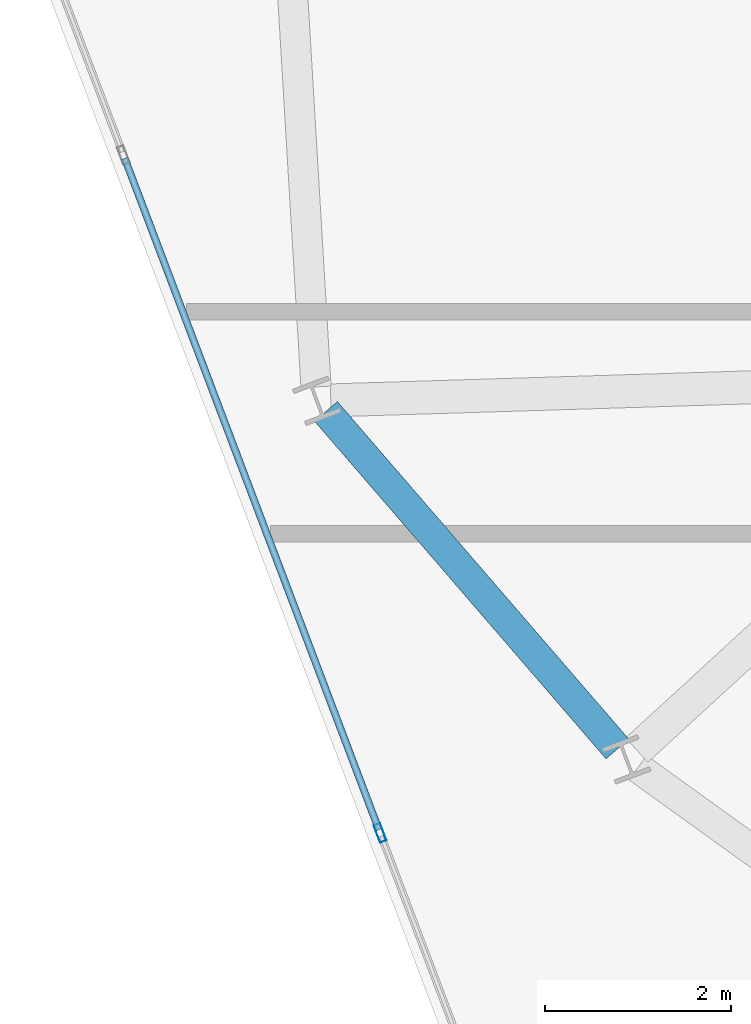
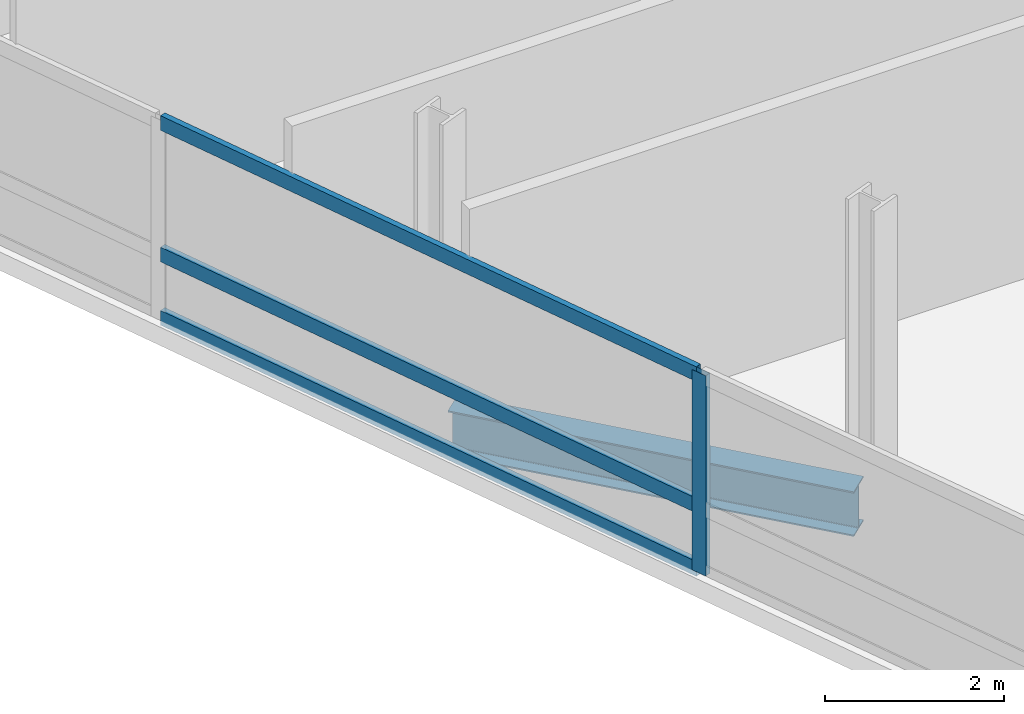
# One storey, part 7 of 24: 4 members, 1 beam, 1 element without a shape of its own.
"""IFC4 building model written with IfcOpenShell, lengths in metres."""

import ifcopenshell
import ifcopenshell.guid

model = None  # the IFC model being written
_history = None  # IfcOwnerHistory: only IFC2X3 demands one
_inside = {}  # id of a spatial element -> (the spatial element, [elements in it])
_under = {}  # id of a project, library or spatial element -> (it, [spatial elements below it])
_declared = {}  # id of a project -> (the project, [libraries it declares])
_typed = {}  # id of a type object -> (the type object, [elements of that type])
_made_of = {}  # id of a material, layer set ... -> (it, [elements and type objects made of it])


def new_model(schema):
    """Start an empty IFC model of exactly this schema.

    Asked for "IFC4X3", IfcOpenShell would pick the latest addendum, in which some entities
    have other attributes; the version numbers below select the first issue.
    IFC2X3 requires an IfcOwnerHistory on every rooted entity: one is made here for all.
    """
    global model, _history
    if schema == "IFC4X3":
        model = ifcopenshell.file(schema_version=(4, 3, 0, 0))
    else:
        model = ifcopenshell.file(schema=schema)
    _inside.clear()
    _under.clear()
    _declared.clear()
    _typed.clear()
    _made_of.clear()
    _history = None
    if model.schema == "IFC2X3":
        org = make("IfcOrganization", Name="unknown")
        user = make(
            "IfcPersonAndOrganization",
            ThePerson=make("IfcPerson", FamilyName="unknown"),
            TheOrganization=org,
        )
        app = make(
            "IfcApplication",
            ApplicationDeveloper=org,
            Version="unknown",
            ApplicationFullName="unknown",
            ApplicationIdentifier="unknown",
        )
        _history = make(
            "IfcOwnerHistory",
            OwningUser=user,
            OwningApplication=app,
            ChangeAction="ADDED",
            CreationDate=0,
        )
    return model


def make(cls, **values):
    """One entity of the class cls with the attributes given. An attribute that is None is left unset."""
    return model.create_entity(
        cls, **{name: value for name, value in values.items() if value is not None}
    )


def rooted(cls, **values):
    """An entity with a GlobalId (a new one), such as an element, a storey or a relation."""
    return make(cls, GlobalId=ifcopenshell.guid.new(), OwnerHistory=_history, **values)


def si_unit(unit_type, name, prefix=None):
    """IfcSIUnit, for example si_unit("LENGTHUNIT", "METRE", prefix="MILLI")."""
    return make("IfcSIUnit", UnitType=unit_type, Prefix=prefix, Name=name)


def assignment(units):
    """IfcUnitAssignment: the units of a project."""
    return None if units is None else make("IfcUnitAssignment", Units=units)


def point(xyz):
    """IfcCartesianPoint."""
    return None if xyz is None else make("IfcCartesianPoint", Coordinates=xyz)


def direction(xyz):
    """IfcDirection."""
    return None if xyz is None else make("IfcDirection", DirectionRatios=xyz)


def frame(location, z_axis=None, x_axis=None):
    """IfcAxis2Placement3D, a coordinate frame: its origin and axes. An axis left out is left unset."""
    return make(
        "IfcAxis2Placement3D",
        Location=point(location),
        Axis=direction(z_axis),
        RefDirection=direction(x_axis),
    )


def frame_2d(location, x_axis=None):
    """IfcAxis2Placement2D, a coordinate frame in the plane: its origin and x axis."""
    return make(
        "IfcAxis2Placement2D", Location=point(location), RefDirection=direction(x_axis)
    )


def origin():
    """The frame at (0, 0, 0) with its axes left unset."""
    return frame((0.0, 0.0, 0.0))


def origin_2d():
    """The frame at (0, 0) in the plane with its x axis left unset."""
    return frame_2d((0.0, 0.0))


def place(relative_to, where):
    """IfcLocalPlacement: puts the frame where relative to a parent placement (None: the world)."""
    return make(
        "IfcLocalPlacement", PlacementRelTo=relative_to, RelativePlacement=where
    )


def context(
    kind, dimensions, precision=None, world=None, true_north=None, identifier=None
):
    """IfcGeometricRepresentationContext, for example the 3D "Model" context."""
    return make(
        "IfcGeometricRepresentationContext",
        ContextIdentifier=identifier,
        ContextType=kind,
        CoordinateSpaceDimension=dimensions,
        Precision=precision,
        WorldCoordinateSystem=world,
        TrueNorth=true_north,
    )


def subcontext(parent, identifier, kind, view, scale=None):
    """IfcGeometricRepresentationSubContext, for example "Body" below "Model"."""
    return make(
        "IfcGeometricRepresentationSubContext",
        ContextIdentifier=identifier,
        ContextType=kind,
        ParentContext=parent,
        TargetScale=scale,
        TargetView=view,
    )


def project(units=None, contexts=None):
    """IfcProject with its units and contexts."""
    return rooted(
        "IfcProject",
        Name="project",
        RepresentationContexts=contexts,
        UnitsInContext=assignment(units),
    )


def spatial(cls, under=None, at=None, **own):
    """A site, building, storey or space (cls), placed at a placement, below another one or the project."""
    s = rooted(cls, ObjectPlacement=at, **own)
    if under is not None:
        _under.setdefault(under.id(), (under, []))[1].append(s)
    return s


def profile(cls, at=None, kind="AREA", **sizes):
    """A parametric profile (cls). Its sizes go by their IFC names, for example OverallWidth=200.0."""
    return make(cls, ProfileType=kind, Position=at, **sizes)


def hollow_rectangle(**sizes):
    """IfcRectangleHollowProfileDef."""
    return profile("IfcRectangleHollowProfileDef", **sizes)


def i_section(**sizes):
    """IfcIShapeProfileDef."""
    return profile("IfcIShapeProfileDef", **sizes)


def extrude(swept, where, along, depth):
    """IfcExtrudedAreaSolid: the profile swept, set in the frame where, extruded along a direction by depth."""
    return make(
        "IfcExtrudedAreaSolid",
        SweptArea=swept,
        Position=where,
        ExtrudedDirection=direction(along),
        Depth=depth,
    )


def shape(context_of_items, identifier, shape_type, items):
    """IfcShapeRepresentation: the items that make up one representation, for example the "Body"."""
    return make(
        "IfcShapeRepresentation",
        ContextOfItems=context_of_items,
        RepresentationIdentifier=identifier,
        RepresentationType=shape_type,
        Items=items,
    )


def material(Name=None, Category=None):
    """IfcMaterial."""
    return make("IfcMaterial", Name=Name, Category=Category)


def layer(
    of_material, thickness, ventilated=None, Name=None, Category=None, Priority=None
):
    """IfcMaterialLayer: one layer of a wall or slab, of a material (None: an air gap)."""
    return make(
        "IfcMaterialLayer",
        Material=of_material,
        LayerThickness=thickness,
        IsVentilated=ventilated,
        Name=Name,
        Category=Category,
        Priority=Priority,
    )


def layer_set(layers, Name=None):
    """IfcMaterialLayerSet."""
    return make("IfcMaterialLayerSet", MaterialLayers=layers, LayerSetName=Name)


def material_profile(
    of_material, cross_section, Name=None, Category=None, Priority=None
):
    """IfcMaterialProfile: a cross section and its material."""
    return make(
        "IfcMaterialProfile",
        Name=Name,
        Material=of_material,
        Profile=cross_section,
        Priority=Priority,
        Category=Category,
    )


def profile_set(profiles, Name=None, composite=None):
    """IfcMaterialProfileSet."""
    return make(
        "IfcMaterialProfileSet",
        Name=Name,
        MaterialProfiles=profiles,
        CompositeProfile=composite,
    )


def made_of(thing, what):
    """Note that an element or type object is made of a material, layer set ...; save() writes the relation."""
    if what is not None:
        _made_of.setdefault(what.id(), (what, []))[1].append(thing)
    return thing


def type_object(cls, material=None, **own):
    """A type object (cls), such as IfcWallType, which elements share."""
    return made_of(rooted(cls, **own), material)


def element(
    cls,
    number,
    at=None,
    inside=None,
    cuts=None,
    type_object=None,
    material=None,
    context=None,
    identifier="Body",
    shape_type=None,
    held_by="IfcProductDefinitionShape",
    body=None,
    shapes=None,
    **own,
):
    """One element of the class cls, such as IfcWall. Its Tag is "e" and its number.

    at: its placement. inside: the storey or other place that contains it. cuts: it is an
    opening in that element (IfcRelVoidsElement). A single representation is given by context,
    identifier, shape_type and body (its items); several are given by shapes. held_by: the class
    of the entity that holds the representations. save() writes the other relations.
    """
    e = rooted(cls, Tag="e%d" % number, ObjectPlacement=at, **own)
    if body is not None:
        shapes = [shape(context, identifier, shape_type, body)]
    if shapes is not None:
        e.Representation = make(held_by, Representations=shapes)
    if inside is not None:
        _inside.setdefault(inside.id(), (inside, []))[1].append(e)
    if cuts is not None:
        rooted(
            "IfcRelVoidsElement", RelatingBuildingElement=cuts, RelatedOpeningElement=e
        )
    if type_object is not None:
        _typed.setdefault(type_object.id(), (type_object, []))[1].append(e)
    return made_of(e, material)


def aggregate(whole, parts):
    """IfcRelAggregates: a whole, such as a stair, and the parts it consists of."""
    return rooted("IfcRelAggregates", RelatingObject=whole, RelatedObjects=parts)


def save(model, path):
    """Write the relations noted so far, then the file.

    IfcRelAggregates (storeys below a building ...), IfcRelContainedInSpatialStructure (elements
    in a storey), IfcRelDefinesByType, IfcRelAssociatesMaterial and IfcRelDeclares: one each for
    every whole, place, type object, material and project.
    """
    for whole, parts in _under.values():
        aggregate(whole, parts)
    for where, things in _inside.values():
        rooted(
            "IfcRelContainedInSpatialStructure",
            RelatedElements=things,
            RelatingStructure=where,
        )
    for kind, things in _typed.values():
        rooted("IfcRelDefinesByType", RelatedObjects=things, RelatingType=kind)
    for what, things in _made_of.values():
        rooted("IfcRelAssociatesMaterial", RelatedObjects=things, RelatingMaterial=what)
    for by, libraries in _declared.values():
        rooted("IfcRelDeclares", RelatingContext=by, RelatedDefinitions=libraries)
    model.write(path)


model = new_model("IFC4")

# Units and contexts
model_context = context("Model", 3, precision=1e-05, world=origin(), true_north=direction((0.0, 1.0)))
body_context = subcontext(model_context, "Body", "Model", "MODEL_VIEW")
ifc_project = project(units=[si_unit("LENGTHUNIT", "METRE"), si_unit("AREAUNIT", "SQUARE_METRE"), si_unit("VOLUMEUNIT", "CUBIC_METRE"), si_unit("PLANEANGLEUNIT", "RADIAN"), si_unit("MASSUNIT", "GRAM", prefix="KILO")], contexts=[model_context])

# Site, building, storey
site_placement = place(None, origin())
site = spatial("IfcSite", under=ifc_project, at=site_placement, CompositionType="ELEMENT")
building_placement = place(site_placement, origin())
building = spatial("IfcBuilding", under=site, at=building_placement, Name="Varnelok Gate Tower", CompositionType="ELEMENT")
storey_placement = place(building_placement, frame((0.0, 0.0, 242.300048828125)))
storey = spatial("IfcBuildingStorey", under=building, at=storey_placement, Name="L62", CompositionType="ELEMENT", Elevation=242.300048828125)

# Beam
ifc_material_1 = material(Name="Structural Steel ASTM A992 Grade 50", Category="steel")
ifc_material_profile_1 = material_profile(ifc_material_1, i_section(OverallWidth=0.323974609375, OverallDepth=0.611083984375, WebThickness=0.0126953125, FlangeThickness=0.01904296875, FilletRadius=0.01806640625, at=origin_2d()), Name="W24X104")
ifc_profile_set_1 = profile_set([ifc_material_profile_1], Name="Structural Steel ASTM A992 Grade 50")
beam_type = type_object("IfcBeamType", Name="BM-SPN-W24X104", PredefinedType="SPANDREL", material=ifc_profile_set_1)
beam_placement = place(storey_placement, frame((7.79248046875, 18.1669921875, -0.5556640625), z_axis=(0.653484787698, -0.756939649013, 0.0), x_axis=(0.756939649013, 0.653484787698, 0.0)))
element("IfcBeam", 1, at=beam_placement, inside=storey, type_object=beam_type, Name="L62 Perimeter Spandrel Beam 15", PredefinedType="SPANDREL", context=body_context, shape_type="SweptSolid", body=[
    extrude(i_section(OverallWidth=0.323974609375, OverallDepth=0.611083984375, WebThickness=0.0126953125, FlangeThickness=0.01904296875, FilletRadius=0.01806640625, at=origin_2d()), origin(), (0.0, 0.0, 1.0), 4.800048828125),
])

# Curtain wall, members
ifc_material_2 = material(Name="Anodized Aluminum Alloy 6063-T6", Category="aluminium")
ifc_layer = layer(ifc_material_2, 0.179931640625)
ifc_layer_set = layer_set([ifc_layer], Name="Anodized Aluminum Alloy 6063-T6")
curtain_wall_type = type_object("IfcCurtainWallType", Name="CW4-RESIDENCE-VISION", PredefinedType="USERDEFINED", material=ifc_layer_set)
curtain_wall_placement = place(storey_placement, origin())
curtain_wall = element("IfcCurtainWall", 2, at=curtain_wall_placement, inside=storey, type_object=curtain_wall_type, Name="L62 West End Vision Curtain Wall", ObjectType="UNITISED CURTAIN WALL", PredefinedType="USERDEFINED")
ifc_material_profile_2 = material_profile(ifc_material_2, hollow_rectangle(XDim=0.074951171875, YDim=0.199951171875, WallThickness=0.00390625, at=origin_2d()), Name="ALU200X75X4")
ifc_profile_set_2 = profile_set([ifc_material_profile_2], Name="Anodized Aluminum Alloy 6063-T6")
member_type_1 = type_object("IfcMemberType", Name="CW-MULL-200", PredefinedType="MULLION", material=ifc_profile_set_2)
member_1_placement = place(storey_placement, frame((8.375, 13.630126953125, 0.0), z_axis=(0.0, 0.0, 1.0), x_axis=(-0.935221557832, -0.354063042079, 0.0)))
member_1 = element("IfcMember", 3, at=member_1_placement, type_object=member_type_1, Name="CW4 mullion 3", PredefinedType="MULLION", context=body_context, shape_type="SweptSolid", body=[
    extrude(hollow_rectangle(XDim=0.074951171875, YDim=0.199951171875, WallThickness=0.00390625, at=origin_2d()), origin(), (0.0, 0.0, 1.0), 2.72998046875),
])
ifc_material_profile_3 = material_profile(ifc_material_2, hollow_rectangle(XDim=0.074951171875, YDim=0.199951171875, WallThickness=0.00390625, at=origin_2d()), Name="ALU200X75X4")
ifc_profile_set_3 = profile_set([ifc_material_profile_3], Name="Anodized Aluminum Alloy 6063-T6")
member_type_2 = type_object("IfcMemberType", Name="CW-TRAN-200", PredefinedType="USERDEFINED", material=ifc_profile_set_3)
member_2_placement = place(storey_placement, frame((8.36181640625, 13.665283203125, 0.037353515625), z_axis=(-0.354058714128, 0.935223196328, 0.0), x_axis=(-0.935223196328, -0.354058714128, 0.0)))
member_2 = element("IfcMember", 4, at=member_2_placement, type_object=member_type_2, Name="CW4 transom 3.1", ObjectType="TRANSOM", PredefinedType="USERDEFINED", context=body_context, shape_type="SweptSolid", body=[
    extrude(hollow_rectangle(XDim=0.074951171875, YDim=0.199951171875, WallThickness=0.00390625, at=origin_2d()), origin(), (0.0, 0.0, 1.0), 7.72509765625),
])
member_3_placement = place(storey_placement, frame((8.36181640625, 13.665283203125, 0.89990234375), z_axis=(-0.354058714128, 0.935223196328, 0.0), x_axis=(-0.935223196328, -0.354058714128, 0.0)))
member_3 = element("IfcMember", 5, at=member_3_placement, type_object=member_type_2, Name="CW4 transom 3.2", ObjectType="TRANSOM", PredefinedType="USERDEFINED", context=body_context, shape_type="SweptSolid", body=[
    extrude(hollow_rectangle(XDim=0.074951171875, YDim=0.199951171875, WallThickness=0.00390625, at=origin_2d()), origin(), (0.0, 0.0, 1.0), 7.72509765625),
])
member_4_placement = place(storey_placement, frame((8.36181640625, 13.665283203125, 2.6923828125), z_axis=(-0.354058714128, 0.935223196328, 0.0), x_axis=(-0.935223196328, -0.354058714128, 0.0)))
member_4 = element("IfcMember", 6, at=member_4_placement, type_object=member_type_2, Name="CW4 transom 3.3", ObjectType="TRANSOM", PredefinedType="USERDEFINED", context=body_context, shape_type="SweptSolid", body=[
    extrude(hollow_rectangle(XDim=0.074951171875, YDim=0.199951171875, WallThickness=0.00390625, at=origin_2d()), origin(), (0.0, 0.0, 1.0), 7.72509765625),
])
aggregate(curtain_wall, [member_1, member_2, member_3, member_4])

save(model, "model.ifc")
